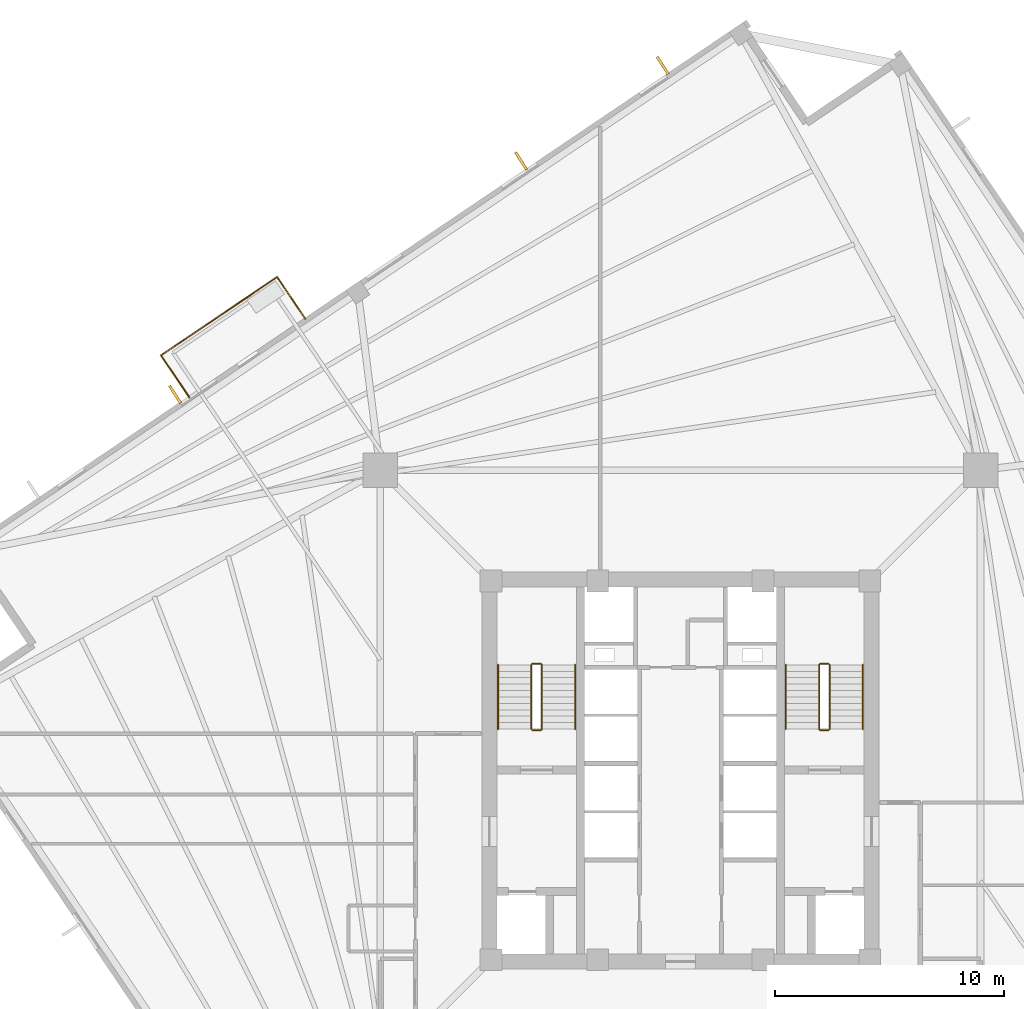
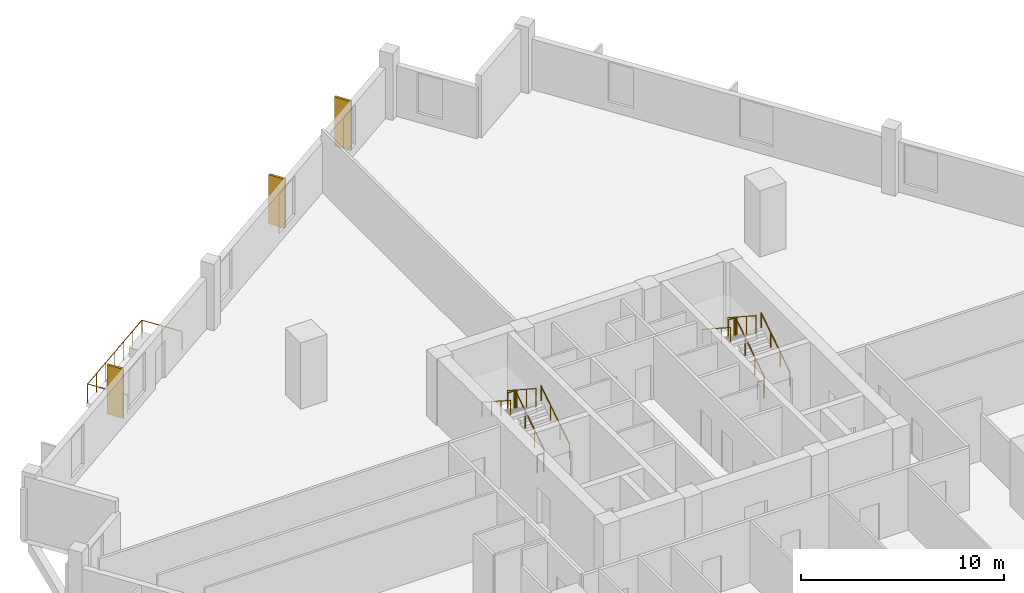
# One storey, part 8 of 9: 15 railings, 3 coverings.
"""IFC4 building model written with IfcOpenShell, lengths in metres."""

from ifc_helpers import new_model, si_unit, direction, frame, origin, origin_2d, place, context, subcontext, project, spatial, rectangle, circle, extrude, source, transform, mapped, material, layer, layer_set, type_object, element, save


model = new_model("IFC4")

# Units and contexts
model_context = context("Model", 3, precision=1e-05, world=origin(), true_north=direction((0.0, 1.0)))
body_context = subcontext(model_context, "Body", "Model", "MODEL_VIEW")
ifc_project = project(units=[si_unit("LENGTHUNIT", "METRE"), si_unit("AREAUNIT", "SQUARE_METRE"), si_unit("VOLUMEUNIT", "CUBIC_METRE"), si_unit("PLANEANGLEUNIT", "RADIAN"), si_unit("MASSUNIT", "GRAM", prefix="KILO"), si_unit("THERMODYNAMICTEMPERATUREUNIT", "KELVIN")], contexts=[model_context])

# Site, building, storey
site_placement = place(None, origin())
site = spatial("IfcSite", under=ifc_project, at=site_placement, CompositionType="ELEMENT")
building_placement = place(site_placement, origin())
building = spatial("IfcBuilding", under=site, at=building_placement, Name="Kosmvard Interchange Tower", CompositionType="ELEMENT")
storey_placement = place(building_placement, frame((0.0, 0.0, 160.39990234375)))
storey = spatial("IfcBuildingStorey", under=building, at=storey_placement, Name="L38", CompositionType="ELEMENT", Elevation=160.39990234375)

# Coverings
ifc_material_1 = material(Name="Architectural anodised aluminium", Category="aluminium")
ifc_layer = layer(ifc_material_1, 0.1201171875, Name="Architectural anodised aluminium")
ifc_layer_set = layer_set([ifc_layer], Name="Architectural anodised aluminium")
covering_type = type_object("IfcCoveringType", Name="Rotating Vertical Sun-Breaker Fin 900x120 Aluminium", PredefinedType="CLADDING", material=ifc_layer_set)
shared_shape_1 = source(origin(), body_context, "Body", "SweptSolid", [
    extrude(rectangle(XDim=0.89990234375, YDim=0.1201171875, at=origin_2d()), origin(), (0.0, 0.0, 1.0), 2.9599609375),
])
for number, where, z_axis, x_axis, name in (
    (1, (-0.774169921875, 30.718994140625, 0.0400390625), (0.0, 0.0, 1.0), (-0.542734751581, 0.839904154905, 0.0), "L38 Rotating Vertical Sun-Breaker Fin 09"),
    (2, (-6.943115234375, 26.557861328125, 0.0400390625), (0.0, 0.0, 1.0), (-0.542734751581, 0.839904154905, 0.0), "L38 Rotating Vertical Sun-Breaker Fin 10"),
    (3, (-22.02294921875, 16.38623046875, 0.0400390625), (0.0, 0.0, 1.0), (-0.542734751581, 0.839904154905, 0.0), "L38 Rotating Vertical Sun-Breaker Fin 11"),
):
    element("IfcCovering", number, at=place(storey_placement, frame(where, z_axis=z_axis, x_axis=x_axis)), inside=storey, type_object=covering_type, Name=name, PredefinedType="CLADDING", context=body_context, shape_type="MappedRepresentation", body=[
        mapped(shared_shape_1, transform((0.0, 0.0, 0.0), scale=1.0)),
    ])

# Railings
ifc_material_2 = material(Name="Steel S355", Category="steel")
railing_type_1 = type_object("IfcRailingType", Name="Observation & Balcony Glass-Infill Balustrade 1150", PredefinedType="BALUSTRADE", material=ifc_material_2)
shared_shape_2 = source(origin(), body_context, "Body", "SweptSolid", [
    extrude(circle(Radius=0.02392578125, at=origin_2d()), frame((0.0, 0.0, 1.1259765625), z_axis=(0.559173597279, -0.829050594418, 0.0), x_axis=(0.829050594418, 0.559173597279, 0.0)), (0.0, 0.0, 1.0), 2.2001953125),
    extrude(circle(Radius=0.02099609375, at=origin_2d()), origin(), (0.0, 0.0, 1.0), 1.101806640625),
    extrude(circle(Radius=0.02099609375, at=origin_2d()), frame((0.615234375, -0.912109375, 0.0)), (0.0, 0.0, 1.0), 1.101806640625),
    extrude(circle(Radius=0.02099609375, at=origin_2d()), frame((1.230224609375, -1.823974609375, 0.0)), (0.0, 0.0, 1.0), 1.101806640625),
])
railing_1_placement = place(storey_placement, frame((-22.6328125, 18.0859375, 0.0)))
element("IfcRailing", 4, at=railing_1_placement, inside=storey, type_object=railing_type_1, Name="L38 Outdoor Terrace Guard BAL-L38-NE-C", PredefinedType="BALUSTRADE", context=body_context, shape_type="MappedRepresentation", body=[
    mapped(shared_shape_2, transform((0.0, 0.0, 0.0), scale=1.0)),
])
shared_shape_3 = source(origin(), body_context, "Body", "SweptSolid", [
    extrude(circle(Radius=0.02392578125, at=origin_2d()), frame((0.0, 0.0, 1.1259765625), z_axis=(-0.559173597279, 0.829050594418, 0.0), x_axis=(-0.829050594418, -0.559173597279, 0.0)), (0.0, 0.0, 1.0), 2.2001953125),
    extrude(circle(Radius=0.02099609375, at=origin_2d()), origin(), (0.0, 0.0, 1.0), 1.101806640625),
    extrude(circle(Radius=0.02099609375, at=origin_2d()), frame((-0.615234375, 0.912109375, 0.0)), (0.0, 0.0, 1.0), 1.101806640625),
    extrude(circle(Radius=0.02099609375, at=origin_2d()), frame((-1.230224609375, 1.823974609375, 0.0)), (0.0, 0.0, 1.0), 1.101806640625),
])
railing_2_placement = place(storey_placement, frame((-16.345458984375, 19.673095703125, 0.0)))
element("IfcRailing", 5, at=railing_2_placement, inside=storey, type_object=railing_type_1, Name="L38 Outdoor Terrace Guard BAL-L38-NE-A", PredefinedType="BALUSTRADE", context=body_context, shape_type="MappedRepresentation", body=[
    mapped(shared_shape_3, transform((0.0, 0.0, 0.0), scale=1.0)),
])
shared_shape_4 = source(origin(), body_context, "Body", "SweptSolid", [
    extrude(circle(Radius=0.02392578125, at=origin_2d()), frame((0.0, 0.0, 1.1259765625), z_axis=(-0.829033294248, -0.55919924627, 0.0), x_axis=(0.55919924627, -0.829033294248, 0.0)), (0.0, 0.0, 1.0), 6.10009765625),
    extrude(circle(Radius=0.02099609375, at=origin_2d()), origin(), (0.0, 0.0, 1.0), 1.101806640625),
    extrude(circle(Radius=0.02099609375, at=origin_2d()), frame((-0.8427734375, -0.568603515625, 0.0)), (0.0, 0.0, 1.0), 1.101806640625),
    extrude(circle(Radius=0.02099609375, at=origin_2d()), frame((-1.685791015625, -1.136962890625, 0.0)), (0.0, 0.0, 1.0), 1.101806640625),
    extrude(circle(Radius=0.02099609375, at=origin_2d()), frame((-2.528564453125, -1.70556640625, 0.0)), (0.0, 0.0, 1.0), 1.101806640625),
    extrude(circle(Radius=0.02099609375, at=origin_2d()), frame((-3.371337890625, -2.274169921875, 0.0)), (0.0, 0.0, 1.0), 1.101806640625),
    extrude(circle(Radius=0.02099609375, at=origin_2d()), frame((-4.21435546875, -2.842529296875, 0.0)), (0.0, 0.0, 1.0), 1.101806640625),
    extrude(circle(Radius=0.02099609375, at=origin_2d()), frame((-5.05712890625, -3.4111328125, 0.0)), (0.0, 0.0, 1.0), 1.101806640625),
])
railing_3_placement = place(storey_placement, frame((-17.57568359375, 21.4970703125, 0.0)))
element("IfcRailing", 6, at=railing_3_placement, inside=storey, type_object=railing_type_1, Name="L38 Outdoor Terrace Guard BAL-L38-NE-B", PredefinedType="BALUSTRADE", context=body_context, shape_type="MappedRepresentation", body=[
    mapped(shared_shape_4, transform((0.0, 0.0, 0.0), scale=1.0)),
])
railing_type_2 = type_object("IfcRailingType", Name="Stair & Terrace Safety Guardrail 1100 Steel", PredefinedType="GUARDRAIL", material=ifc_material_2)
shared_shape_5 = source(origin(), body_context, "Body", "SweptSolid", [
    extrude(circle(Radius=0.02392578125, at=origin_2d()), frame((0.0, 0.0, 1.076171875), z_axis=(-1.0, 0.0, 0.0), x_axis=(0.0, -1.0, 0.0)), (0.0, 0.0, 1.0), 0.35986328125),
    extrude(circle(Radius=0.02099609375, at=origin_2d()), origin(), (0.0, 0.0, 1.0), 1.052001953125),
    extrude(circle(Radius=0.02099609375, at=origin_2d()), frame((-0.35986328125, 0.0, 0.0)), (0.0, 0.0, 1.0), 1.052001953125),
])
for number, where, name in (
    (7, (-6.090087890625, 4.64990234375, 2.0), "L38 ST-1 stair guard 2"),
    (8, (-6.090087890625, 1.75, 0.0), "L38 ST-1 stair guard 4"),
    (9, (6.449951171875, 4.64990234375, 2.0), "L38 ST-2 stair guard 2"),
    (10, (6.449951171875, 1.75, 0.0), "L38 ST-2 stair guard 4"),
):
    element("IfcRailing", number, at=place(storey_placement, frame(where)), inside=storey, type_object=railing_type_2, Name=name, PredefinedType="GUARDRAIL", context=body_context, shape_type="MappedRepresentation", body=[
        mapped(shared_shape_5, transform((0.0, 0.0, 0.0), scale=1.0)),
    ])
shared_shape_6 = source(origin(), body_context, "Body", "SweptSolid", [
    extrude(circle(Radius=0.02392578125, at=origin_2d()), frame((0.0, 0.0, 1.076171875), z_axis=(0.0, 0.838705829183, 0.544584733623), x_axis=(-1.0, 0.0, 0.0)), (0.0, 0.0, 1.0), 3.338623046875),
    extrude(circle(Radius=0.02099609375, at=origin_2d()), origin(), (0.0, 0.0, 1.0), 1.052001953125),
    extrude(circle(Radius=0.02099609375, at=origin_2d()), frame((0.0, 0.933349609375, 0.60595703125)), (0.0, 0.0, 1.0), 1.052001953125),
    extrude(circle(Radius=0.02099609375, at=origin_2d()), frame((0.0, 1.86669921875, 1.212158203125)), (0.0, 0.0, 1.0), 1.052001953125),
    extrude(circle(Radius=0.02099609375, at=origin_2d()), frame((0.0, 2.800048828125, 1.818115234375)), (0.0, 0.0, 1.0), 1.052001953125),
])
for number, where, name in (
    (11, (-6.0400390625, 1.800048828125, 0.181884765625), "L38 ST-1 stair guard 1"),
    (12, (6.5, 1.800048828125, 0.181884765625), "L38 ST-2 stair guard 1"),
):
    element("IfcRailing", number, at=place(storey_placement, frame(where)), inside=storey, type_object=railing_type_2, Name=name, PredefinedType="GUARDRAIL", context=body_context, shape_type="MappedRepresentation", body=[
        mapped(shared_shape_6, transform((0.0, 0.0, 0.0), scale=1.0)),
    ])
shared_shape_7 = source(origin(), body_context, "Body", "SweptSolid", [
    extrude(circle(Radius=0.02392578125, at=origin_2d()), frame((0.0, 0.0, 1.076171875), z_axis=(0.0, -0.838705829183, 0.544584733623), x_axis=(1.0, 0.0, 0.0)), (0.0, 0.0, 1.0), 3.338623046875),
    extrude(circle(Radius=0.02099609375, at=origin_2d()), origin(), (0.0, 0.0, 1.0), 1.052001953125),
    extrude(circle(Radius=0.02099609375, at=origin_2d()), frame((0.0, -0.933349609375, 0.60595703125)), (0.0, 0.0, 1.0), 1.052001953125),
    extrude(circle(Radius=0.02099609375, at=origin_2d()), frame((0.0, -1.86669921875, 1.212158203125)), (0.0, 0.0, 1.0), 1.052001953125),
    extrude(circle(Radius=0.02099609375, at=origin_2d()), frame((0.0, -2.800048828125, 1.818115234375)), (0.0, 0.0, 1.0), 1.052001953125),
])
for number, where, name in (
    (13, (-6.5, 4.60009765625, 2.181884765625), "L38 ST-1 stair guard 3"),
    (14, (6.0400390625, 4.60009765625, 2.181884765625), "L38 ST-2 stair guard 3"),
):
    element("IfcRailing", number, at=place(storey_placement, frame(where)), inside=storey, type_object=railing_type_2, Name=name, PredefinedType="GUARDRAIL", context=body_context, shape_type="MappedRepresentation", body=[
        mapped(shared_shape_7, transform((0.0, 0.0, 0.0), scale=1.0)),
    ])
railing_type_3 = type_object("IfcRailingType", Name="Wall-Mounted Stair Handrail 900 Steel", PredefinedType="HANDRAIL", material=ifc_material_2)
shared_shape_8 = source(origin(), body_context, "Body", "SweptSolid", [
    extrude(circle(Radius=0.02392578125, at=origin_2d()), frame((0.0, 0.0, 0.8759765625), z_axis=(0.0, 0.838705829183, 0.544584733623), x_axis=(-1.0, 0.0, 0.0)), (0.0, 0.0, 1.0), 3.338623046875),
    extrude(circle(Radius=0.02099609375, at=origin_2d()), origin(), (0.0, 0.0, 1.0), 0.851806640625),
    extrude(circle(Radius=0.02099609375, at=origin_2d()), frame((0.0, 0.933349609375, 0.60595703125)), (0.0, 0.0, 1.0), 0.851806640625),
    extrude(circle(Radius=0.02099609375, at=origin_2d()), frame((0.0, 1.86669921875, 1.212158203125)), (0.0, 0.0, 1.0), 0.851806640625),
    extrude(circle(Radius=0.02099609375, at=origin_2d()), frame((0.0, 2.800048828125, 1.818115234375)), (0.0, 0.0, 1.0), 0.851806640625),
])
for number, where, name in (
    (15, (-4.590087890625, 1.800048828125, 0.181884765625), "L38 ST-1 stair handrail 1"),
    (16, (7.949951171875, 1.800048828125, 0.181884765625), "L38 ST-2 stair handrail 1"),
):
    element("IfcRailing", number, at=place(storey_placement, frame(where)), inside=storey, type_object=railing_type_3, Name=name, PredefinedType="HANDRAIL", context=body_context, shape_type="MappedRepresentation", body=[
        mapped(shared_shape_8, transform((0.0, 0.0, 0.0), scale=1.0)),
    ])
shared_shape_9 = source(origin(), body_context, "Body", "SweptSolid", [
    extrude(circle(Radius=0.02392578125, at=origin_2d()), frame((0.0, 0.0, 0.8759765625), z_axis=(0.0, -0.838705829183, 0.544584733623), x_axis=(1.0, 0.0, 0.0)), (0.0, 0.0, 1.0), 3.338623046875),
    extrude(circle(Radius=0.02099609375, at=origin_2d()), origin(), (0.0, 0.0, 1.0), 0.851806640625),
    extrude(circle(Radius=0.02099609375, at=origin_2d()), frame((0.0, -0.933349609375, 0.60595703125)), (0.0, 0.0, 1.0), 0.851806640625),
    extrude(circle(Radius=0.02099609375, at=origin_2d()), frame((0.0, -1.86669921875, 1.212158203125)), (0.0, 0.0, 1.0), 0.851806640625),
    extrude(circle(Radius=0.02099609375, at=origin_2d()), frame((0.0, -2.800048828125, 1.818115234375)), (0.0, 0.0, 1.0), 0.851806640625),
])
for number, where, name in (
    (17, (-7.949951171875, 4.60009765625, 2.181884765625), "L38 ST-1 stair handrail 2"),
    (18, (4.590087890625, 4.60009765625, 2.181884765625), "L38 ST-2 stair handrail 2"),
):
    element("IfcRailing", number, at=place(storey_placement, frame(where)), inside=storey, type_object=railing_type_3, Name=name, PredefinedType="HANDRAIL", context=body_context, shape_type="MappedRepresentation", body=[
        mapped(shared_shape_9, transform((0.0, 0.0, 0.0), scale=1.0)),
    ])

save(model, "model.ifc")
